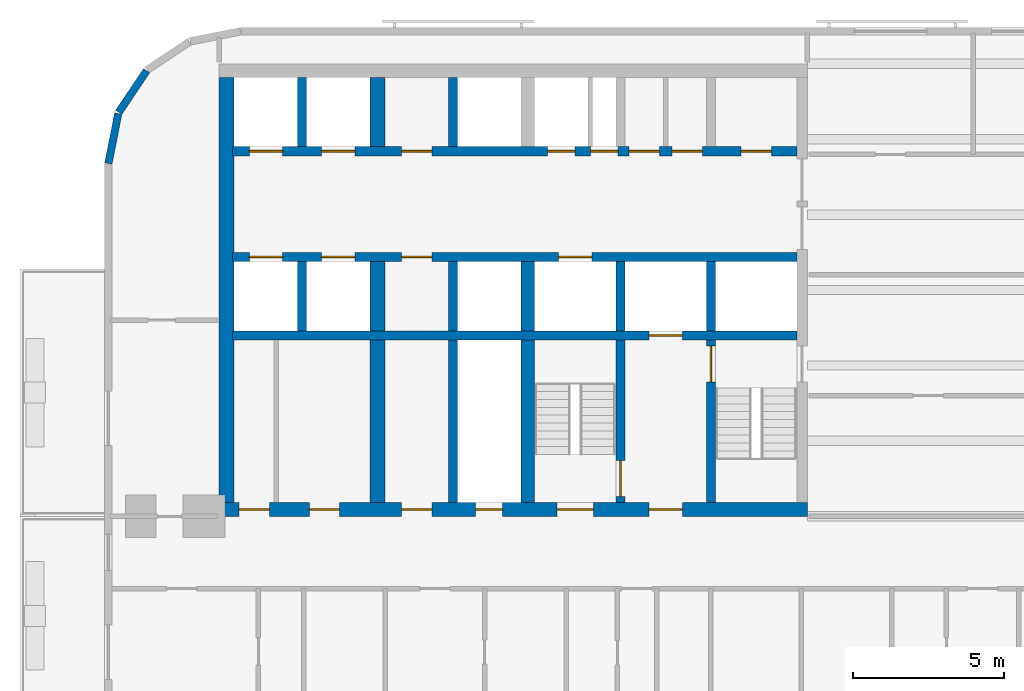
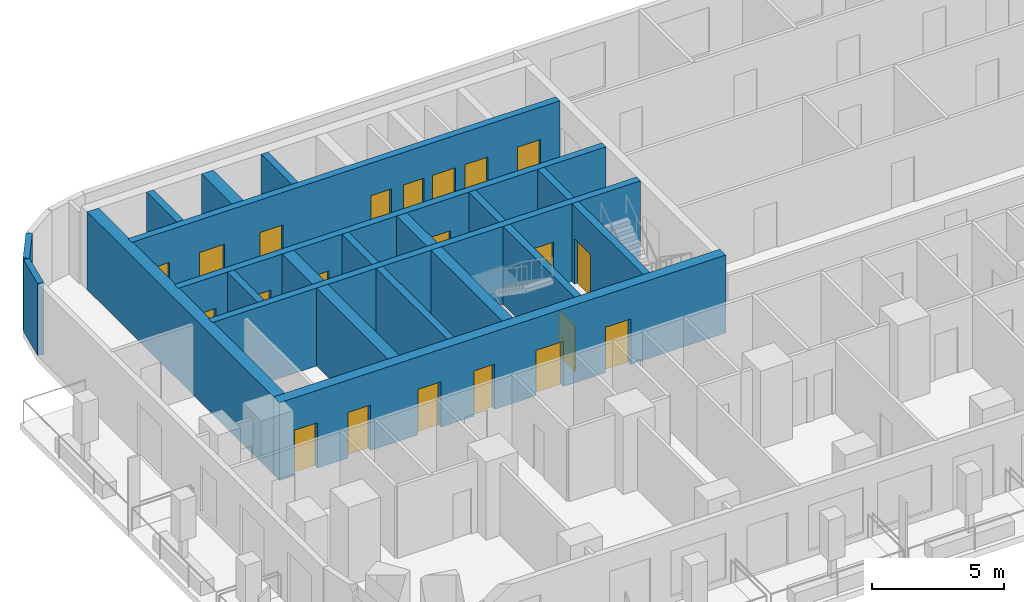
# One storey, part 3 of 13: 21 doors, 21 walls, 21 openings.
"""IFC4 building model written with IfcOpenShell, lengths in metres."""

from ifc_helpers import new_model, si_unit, direction, frame, frame_2d, origin, place, context, subcontext, project, spatial, rectangle, extrude, material, layer, layer_set, type_object, element, fill, save


model = new_model("IFC4")

# Units and contexts
model_context = context("Model", 3, precision=1e-05, world=origin(), true_north=direction((0.0, 1.0)))
body_context = subcontext(model_context, "Body", "Model", "MODEL_VIEW")
ifc_project = project(units=[si_unit("LENGTHUNIT", "METRE"), si_unit("AREAUNIT", "SQUARE_METRE"), si_unit("VOLUMEUNIT", "CUBIC_METRE"), si_unit("PLANEANGLEUNIT", "RADIAN"), si_unit("MASSUNIT", "GRAM", prefix="KILO")], contexts=[model_context])

# Site, building, storey
site_placement = place(None, origin())
site = spatial("IfcSite", under=ifc_project, at=site_placement, CompositionType="ELEMENT")
building_placement = place(site_placement, origin())
building = spatial("IfcBuilding", under=site, at=building_placement, Name="Torana Hotel and Residences", CompositionType="ELEMENT")
storey_placement = place(building_placement, frame((0.0, 0.0, 78.0)))
storey = spatial("IfcBuildingStorey", under=building, at=storey_placement, Name="L19", CompositionType="ELEMENT", Elevation=78.0)

# Wall, openings, doors
ifc_material_1 = material(Name="Concrete C80/95", Category="concrete")
ifc_layer_1 = layer(ifc_material_1, 0.300048828125)
ifc_layer_set_1 = layer_set([ifc_layer_1], Name="CORE WALL 300 C80/95")
wall_type_1 = type_object("IfcWallType", Name="CORE WALL 300 C80/95", PredefinedType="SHEAR", material=ifc_layer_set_1)
wall_1_placement = place(storey_placement, frame((-29.050048828125, -2.89990234375, 0.0), z_axis=(0.0, 0.0, 1.0), x_axis=(1.0, 0.0, 0.0)))
wall_1 = element("IfcWall", 1, at=wall_1_placement, inside=storey, type_object=wall_type_1, Name="Core wall W row-N", PredefinedType="SHEAR", context=body_context, shape_type="SweptSolid", body=[
    extrude(rectangle(XDim=18.699951171875, YDim=0.300048828125, at=frame_2d((9.35009765625, 0.0))), origin(), (0.0, 0.0, 1.0), 3.60009765625),
])
opening_1_placement = place(wall_1_placement, frame((2.949951171875, 0.0, 0.0)))
opening_1 = element("IfcOpeningElement", 2, at=opening_1_placement, cuts=wall_1, Name="Opening LD", PredefinedType="OPENING", context=body_context, shape_type="SweptSolid", body=[
    extrude(rectangle(XDim=1.10009765625, YDim=2.10009765625, at=frame_2d((0.550048828125, 1.050048828125))), frame((0.0, 0.159912109375, 0.0), z_axis=(0.0, -1.0, 0.0), x_axis=(1.0, 0.0, 0.0)), (0.0, 0.0, 1.0), 0.320068359375),
])
opening_2_placement = place(wall_1_placement, frame((0.550048828125, 0.0, 0.0)))
opening_2 = element("IfcOpeningElement", 3, at=opening_2_placement, cuts=wall_1, Name="Opening LD", PredefinedType="OPENING", context=body_context, shape_type="SweptSolid", body=[
    extrude(rectangle(XDim=1.10009765625, YDim=2.10009765625, at=frame_2d((0.550048828125, 1.050048828125))), frame((0.0, 0.159912109375, 0.0), z_axis=(0.0, -1.0, 0.0), x_axis=(1.0, 0.0, 0.0)), (0.0, 0.0, 1.0), 0.320068359375),
])
opening_3_placement = place(wall_1_placement, frame((11.862548828125, 0.0, 0.0)))
opening_3 = element("IfcOpeningElement", 4, at=opening_3_placement, cuts=wall_1, Name="Opening L19-10", PredefinedType="OPENING", context=body_context, shape_type="SweptSolid", body=[
    extrude(rectangle(XDim=0.89990234375, YDim=2.10009765625, at=frame_2d((0.449951171875, 1.050048828125))), frame((0.0, 0.159912109375, 0.0), z_axis=(0.0, -1.0, 0.0), x_axis=(1.0, 0.0, 0.0)), (0.0, 0.0, 1.0), 0.320068359375),
])
opening_4_placement = place(wall_1_placement, frame((10.4375, 0.0, 0.0)))
opening_4 = element("IfcOpeningElement", 5, at=opening_4_placement, cuts=wall_1, Name="Opening L19-11", PredefinedType="OPENING", context=body_context, shape_type="SweptSolid", body=[
    extrude(rectangle(XDim=0.89990234375, YDim=2.10009765625, at=frame_2d((0.449951171875, 1.050048828125))), frame((0.0, 0.159912109375, 0.0), z_axis=(0.0, -1.0, 0.0), x_axis=(1.0, 0.0, 0.0)), (0.0, 0.0, 1.0), 0.320068359375),
])
opening_5_placement = place(wall_1_placement, frame((16.85009765625, 0.0, 0.0)))
opening_5 = element("IfcOpeningElement", 6, at=opening_5_placement, cuts=wall_1, Name="Opening L19-12", PredefinedType="OPENING", context=body_context, shape_type="SweptSolid", body=[
    extrude(rectangle(XDim=1.0, YDim=2.10009765625, at=frame_2d((0.5, 1.050048828125))), frame((0.0, 0.159912109375, 0.0), z_axis=(0.0, -1.0, 0.0), x_axis=(1.0, 0.0, 0.0)), (0.0, 0.0, 1.0), 0.320068359375),
])
opening_6_placement = place(wall_1_placement, frame((14.5625, 0.0, 0.0)))
opening_6 = element("IfcOpeningElement", 7, at=opening_6_placement, cuts=wall_1, Name="Opening L19-13", PredefinedType="OPENING", context=body_context, shape_type="SweptSolid", body=[
    extrude(rectangle(XDim=1.0, YDim=2.10009765625, at=frame_2d((0.5, 1.050048828125))), frame((0.0, 0.159912109375, 0.0), z_axis=(0.0, -1.0, 0.0), x_axis=(1.0, 0.0, 0.0)), (0.0, 0.0, 1.0), 0.320068359375),
])
opening_7_placement = place(wall_1_placement, frame((13.137451171875, 0.0, 0.0)))
opening_7 = element("IfcOpeningElement", 8, at=opening_7_placement, cuts=wall_1, Name="Opening L19-14", PredefinedType="OPENING", context=body_context, shape_type="SweptSolid", body=[
    extrude(rectangle(XDim=1.0, YDim=2.10009765625, at=frame_2d((0.5, 1.050048828125))), frame((0.0, 0.159912109375, 0.0), z_axis=(0.0, -1.0, 0.0), x_axis=(1.0, 0.0, 0.0)), (0.0, 0.0, 1.0), 0.320068359375),
])
opening_8_placement = place(wall_1_placement, frame((5.60009765625, 0.0, 0.0)))
opening_8 = element("IfcOpeningElement", 9, at=opening_8_placement, cuts=wall_1, Name="Opening L19-15", PredefinedType="OPENING", context=body_context, shape_type="SweptSolid", body=[
    extrude(rectangle(XDim=1.0, YDim=2.10009765625, at=frame_2d((0.5, 1.050048828125))), frame((0.0, 0.159912109375, 0.0), z_axis=(0.0, -1.0, 0.0), x_axis=(1.0, 0.0, 0.0)), (0.0, 0.0, 1.0), 0.320068359375),
])
ifc_material_2 = material(Name="Steel S235", Category="steel")
door_type_1 = type_object("IfcDoorType", Name="CORE ROOM FIRE DOOR D14 1000x2100", OperationType="SINGLE_SWING_LEFT", PredefinedType="DOOR", material=ifc_material_2)
door_1_placement = place(opening_5_placement, origin())
door_1 = element("IfcDoor", 10, at=door_1_placement, inside=storey, type_object=door_type_1, Name="N0 door L19", OperationType="SINGLE_SWING_RIGHT", OverallHeight=2.10009765625, OverallWidth=1.0, PredefinedType="DOOR", context=body_context, shape_type="SweptSolid", body=[
    extrude(rectangle(XDim=1.0, YDim=2.10009765625, at=frame_2d((0.5, 1.050048828125))), frame((0.0, 0.02490234375, 0.0), z_axis=(0.0, -1.0, 0.0), x_axis=(1.0, 0.0, 0.0)), (0.0, 0.0, 1.0), 0.050048828125),
])
fill(opening_5, door_1)
door_2_placement = place(opening_6_placement, origin())
door_2 = element("IfcDoor", 11, at=door_2_placement, inside=storey, type_object=door_type_1, Name="N1A door L19", OperationType="SINGLE_SWING_RIGHT", OverallHeight=2.10009765625, OverallWidth=1.0, PredefinedType="DOOR", context=body_context, shape_type="SweptSolid", body=[
    extrude(rectangle(XDim=1.0, YDim=2.10009765625, at=frame_2d((0.5, 1.050048828125))), frame((0.0, 0.02490234375, 0.0), z_axis=(0.0, -1.0, 0.0), x_axis=(1.0, 0.0, 0.0)), (0.0, 0.0, 1.0), 0.050048828125),
])
fill(opening_6, door_2)
door_3_placement = place(opening_7_placement, origin())
door_3 = element("IfcDoor", 12, at=door_3_placement, inside=storey, type_object=door_type_1, Name="N1B door L19", OperationType="SINGLE_SWING_RIGHT", OverallHeight=2.10009765625, OverallWidth=1.0, PredefinedType="DOOR", context=body_context, shape_type="SweptSolid", body=[
    extrude(rectangle(XDim=1.0, YDim=2.10009765625, at=frame_2d((0.5, 1.050048828125))), frame((0.0, 0.02490234375, 0.0), z_axis=(0.0, -1.0, 0.0), x_axis=(1.0, 0.0, 0.0)), (0.0, 0.0, 1.0), 0.050048828125),
])
fill(opening_7, door_3)
door_4_placement = place(opening_8_placement, origin())
door_4 = element("IfcDoor", 13, at=door_4_placement, inside=storey, type_object=door_type_1, Name="Free-M1 door L19", OperationType="SINGLE_SWING_RIGHT", OverallHeight=2.10009765625, OverallWidth=1.0, PredefinedType="DOOR", context=body_context, shape_type="SweptSolid", body=[
    extrude(rectangle(XDim=1.0, YDim=2.10009765625, at=frame_2d((0.5, 1.050048828125))), frame((0.0, 0.02490234375, 0.0), z_axis=(0.0, -1.0, 0.0), x_axis=(1.0, 0.0, 0.0)), (0.0, 0.0, 1.0), 0.050048828125),
])
fill(opening_8, door_4)
ifc_material_3 = material(Name="Stainless steel 316", Category="steel")
door_type_2 = type_object("IfcDoorType", Name="LIFT LANDING DOOR LD 1100x2100", OperationType="DOUBLE_DOOR_SLIDING", PredefinedType="USERDEFINED", material=ifc_material_3)
door_5_placement = place(opening_1_placement, origin())
door_5 = element("IfcDoor", 14, at=door_5_placement, inside=storey, type_object=door_type_2, Name="Lift landing door L1 L19", ObjectType="LIFT LANDING DOOR", OperationType="DOUBLE_DOOR_SLIDING", OverallHeight=2.10009765625, OverallWidth=1.10009765625, PredefinedType="USERDEFINED", context=body_context, shape_type="SweptSolid", body=[
    extrude(rectangle(XDim=1.10009765625, YDim=2.10009765625, at=frame_2d((0.550048828125, 1.050048828125))), frame((0.0, 0.02490234375, 0.0), z_axis=(0.0, -1.0, 0.0), x_axis=(1.0, 0.0, 0.0)), (0.0, 0.0, 1.0), 0.050048828125),
])
fill(opening_1, door_5)
door_6_placement = place(opening_2_placement, origin())
door_6 = element("IfcDoor", 15, at=door_6_placement, inside=storey, type_object=door_type_2, Name="Lift landing door L2 L19", ObjectType="LIFT LANDING DOOR", OperationType="DOUBLE_DOOR_SLIDING", OverallHeight=2.10009765625, OverallWidth=1.10009765625, PredefinedType="USERDEFINED", context=body_context, shape_type="SweptSolid", body=[
    extrude(rectangle(XDim=1.10009765625, YDim=2.10009765625, at=frame_2d((0.550048828125, 1.050048828125))), frame((0.0, 0.02490234375, 0.0), z_axis=(0.0, -1.0, 0.0), x_axis=(1.0, 0.0, 0.0)), (0.0, 0.0, 1.0), 0.050048828125),
])
fill(opening_2, door_6)
ifc_material_4 = material(Name="Steel S235", Category="steel")
door_type_3 = type_object("IfcDoorType", Name="RISER ACCESS DOOR D5 900x2100", OperationType="SINGLE_SWING_LEFT", PredefinedType="DOOR", material=ifc_material_4)
door_7_placement = place(opening_3_placement, origin())
door_7 = element("IfcDoor", 16, at=door_7_placement, inside=storey, type_object=door_type_3, Name="N2A door L19", OperationType="SINGLE_SWING_LEFT", OverallHeight=2.10009765625, OverallWidth=0.89990234375, PredefinedType="DOOR", context=body_context, shape_type="SweptSolid", body=[
    extrude(rectangle(XDim=0.89990234375, YDim=2.10009765625, at=frame_2d((0.449951171875, 1.050048828125))), frame((0.0, 0.02490234375, 0.0), z_axis=(0.0, -1.0, 0.0), x_axis=(1.0, 0.0, 0.0)), (0.0, 0.0, 1.0), 0.050048828125),
])
fill(opening_3, door_7)
door_8_placement = place(opening_4_placement, origin())
door_8 = element("IfcDoor", 17, at=door_8_placement, inside=storey, type_object=door_type_3, Name="N2B door L19", OperationType="SINGLE_SWING_RIGHT", OverallHeight=2.10009765625, OverallWidth=0.89990234375, PredefinedType="DOOR", context=body_context, shape_type="SweptSolid", body=[
    extrude(rectangle(XDim=0.89990234375, YDim=2.10009765625, at=frame_2d((0.449951171875, 1.050048828125))), frame((0.0, 0.02490234375, 0.0), z_axis=(0.0, -1.0, 0.0), x_axis=(1.0, 0.0, 0.0)), (0.0, 0.0, 1.0), 0.050048828125),
])
fill(opening_4, door_8)

wall_2_placement = place(storey_placement, frame((-29.050048828125, -6.39990234375, 0.0), z_axis=(0.0, 0.0, 1.0), x_axis=(1.0, 0.0, 0.0)))
wall_2 = element("IfcWall", 18, at=wall_2_placement, inside=storey, type_object=wall_type_1, Name="Core wall W row-S", PredefinedType="SHEAR", context=body_context, shape_type="SweptSolid", body=[
    extrude(rectangle(XDim=18.699951171875, YDim=0.300048828125, at=frame_2d((9.35009765625, 0.0))), origin(), (0.0, 0.0, 1.0), 3.60009765625),
])
opening_9_placement = place(wall_2_placement, frame((2.949951171875, 0.0, 0.0)))
opening_9 = element("IfcOpeningElement", 19, at=opening_9_placement, cuts=wall_2, Name="Opening LD", PredefinedType="OPENING", context=body_context, shape_type="SweptSolid", body=[
    extrude(rectangle(XDim=1.10009765625, YDim=2.10009765625, at=frame_2d((0.550048828125, 1.050048828125))), frame((0.0, 0.159912109375, 0.0), z_axis=(0.0, -1.0, 0.0), x_axis=(1.0, 0.0, 0.0)), (0.0, 0.0, 1.0), 0.320068359375),
])
opening_10_placement = place(wall_2_placement, frame((0.550048828125, 0.0, 0.0)))
opening_10 = element("IfcOpeningElement", 20, at=opening_10_placement, cuts=wall_2, Name="Opening LD", PredefinedType="OPENING", context=body_context, shape_type="SweptSolid", body=[
    extrude(rectangle(XDim=1.10009765625, YDim=2.10009765625, at=frame_2d((0.550048828125, 1.050048828125))), frame((0.0, 0.159912109375, 0.0), z_axis=(0.0, -1.0, 0.0), x_axis=(1.0, 0.0, 0.0)), (0.0, 0.0, 1.0), 0.320068359375),
])
opening_11_placement = place(wall_2_placement, frame((10.800048828125, 0.0, 0.0)))
opening_11 = element("IfcOpeningElement", 21, at=opening_11_placement, cuts=wall_2, Name="Opening LD", PredefinedType="OPENING", context=body_context, shape_type="SweptSolid", body=[
    extrude(rectangle(XDim=1.10009765625, YDim=2.10009765625, at=frame_2d((0.550048828125, 1.050048828125))), frame((0.0, 0.159912109375, 0.0), z_axis=(0.0, -1.0, 0.0), x_axis=(1.0, 0.0, 0.0)), (0.0, 0.0, 1.0), 0.320068359375),
])
opening_12_placement = place(wall_2_placement, frame((5.60009765625, 0.0, 0.0)))
opening_12 = element("IfcOpeningElement", 22, at=opening_12_placement, cuts=wall_2, Name="Opening L19-16", PredefinedType="OPENING", context=body_context, shape_type="SweptSolid", body=[
    extrude(rectangle(XDim=1.0, YDim=2.10009765625, at=frame_2d((0.5, 1.050048828125))), frame((0.0, 0.159912109375, 0.0), z_axis=(0.0, -1.0, 0.0), x_axis=(1.0, 0.0, 0.0)), (0.0, 0.0, 1.0), 0.320068359375),
])
door_9_placement = place(opening_12_placement, frame((0.5, 0.0, 0.0), z_axis=(0.0, 0.0, 1.0), x_axis=(-1.0, 0.0, 0.0)))
door_9 = element("IfcDoor", 23, at=door_9_placement, inside=storey, type_object=door_type_1, Name="Free-M2 door L19", OperationType="SINGLE_SWING_LEFT", OverallHeight=2.10009765625, OverallWidth=1.0, PredefinedType="DOOR", context=body_context, shape_type="SweptSolid", body=[
    extrude(rectangle(XDim=1.0, YDim=2.10009765625, at=frame_2d((0.0, 1.050048828125))), frame((0.0, -0.02490234375, 0.0), z_axis=(0.0, 1.0, 0.0), x_axis=(-1.0, 0.0, 0.0)), (0.0, 0.0, 1.0), 0.050048828125),
])
fill(opening_12, door_9)
door_10_placement = place(opening_9_placement, origin())
door_10 = element("IfcDoor", 24, at=door_10_placement, inside=storey, type_object=door_type_2, Name="Lift landing door L3 L19", ObjectType="LIFT LANDING DOOR", OperationType="DOUBLE_DOOR_SLIDING", OverallHeight=2.10009765625, OverallWidth=1.10009765625, PredefinedType="USERDEFINED", context=body_context, shape_type="SweptSolid", body=[
    extrude(rectangle(XDim=1.10009765625, YDim=2.10009765625, at=frame_2d((0.550048828125, 1.050048828125))), frame((0.0, 0.02490234375, 0.0), z_axis=(0.0, -1.0, 0.0), x_axis=(1.0, 0.0, 0.0)), (0.0, 0.0, 1.0), 0.050048828125),
])
fill(opening_9, door_10)
door_11_placement = place(opening_10_placement, origin())
door_11 = element("IfcDoor", 25, at=door_11_placement, inside=storey, type_object=door_type_2, Name="Lift landing door L4 L19", ObjectType="LIFT LANDING DOOR", OperationType="DOUBLE_DOOR_SLIDING", OverallHeight=2.10009765625, OverallWidth=1.10009765625, PredefinedType="USERDEFINED", context=body_context, shape_type="SweptSolid", body=[
    extrude(rectangle(XDim=1.10009765625, YDim=2.10009765625, at=frame_2d((0.550048828125, 1.050048828125))), frame((0.0, 0.02490234375, 0.0), z_axis=(0.0, -1.0, 0.0), x_axis=(1.0, 0.0, 0.0)), (0.0, 0.0, 1.0), 0.050048828125),
])
fill(opening_10, door_11)
door_12_placement = place(opening_11_placement, origin())
door_12 = element("IfcDoor", 26, at=door_12_placement, inside=storey, type_object=door_type_2, Name="Lift landing door SV1 L19", ObjectType="LIFT LANDING DOOR", OperationType="DOUBLE_DOOR_SLIDING", OverallHeight=2.10009765625, OverallWidth=1.10009765625, PredefinedType="USERDEFINED", context=body_context, shape_type="SweptSolid", body=[
    extrude(rectangle(XDim=1.10009765625, YDim=2.10009765625, at=frame_2d((0.550048828125, 1.050048828125))), frame((0.0, 0.02490234375, 0.0), z_axis=(0.0, -1.0, 0.0), x_axis=(1.0, 0.0, 0.0)), (0.0, 0.0, 1.0), 0.050048828125),
])
fill(opening_11, door_12)

# Wall, opening, door
wall_3_placement = place(storey_placement, frame((-29.050048828125, -9.0, 0.0), z_axis=(0.0, 0.0, 1.0), x_axis=(1.0, 0.0, 0.0)))
wall_3 = element("IfcWall", 27, at=wall_3_placement, inside=storey, type_object=wall_type_1, Name="Core wall W band", PredefinedType="SHEAR", context=body_context, shape_type="SweptSolid", body=[
    extrude(rectangle(XDim=18.699951171875, YDim=0.300048828125, at=frame_2d((9.35009765625, 0.0))), origin(), (0.0, 0.0, 1.0), 3.60009765625),
])
opening_13_placement = place(wall_3_placement, frame((13.800048828125, 0.0, 0.0)))
opening_13 = element("IfcOpeningElement", 28, at=opening_13_placement, cuts=wall_3, Name="Opening LD", PredefinedType="OPENING", context=body_context, shape_type="SweptSolid", body=[
    extrude(rectangle(XDim=1.10009765625, YDim=2.10009765625, at=frame_2d((0.550048828125, 1.050048828125))), frame((0.0, 0.159912109375, 0.0), z_axis=(0.0, -1.0, 0.0), x_axis=(1.0, 0.0, 0.0)), (0.0, 0.0, 1.0), 0.320068359375),
])
door_13_placement = place(opening_13_placement, origin())
door_13 = element("IfcDoor", 29, at=door_13_placement, inside=storey, type_object=door_type_2, Name="Lift landing door FF1 L19", ObjectType="LIFT LANDING DOOR", OperationType="DOUBLE_DOOR_SLIDING", OverallHeight=2.10009765625, OverallWidth=1.10009765625, PredefinedType="USERDEFINED", context=body_context, shape_type="SweptSolid", body=[
    extrude(rectangle(XDim=1.10009765625, YDim=2.10009765625, at=frame_2d((0.550048828125, 1.050048828125))), frame((0.0, 0.02490234375, 0.0), z_axis=(0.0, -1.0, 0.0), x_axis=(1.0, 0.0, 0.0)), (0.0, 0.0, 1.0), 0.050048828125),
])
fill(opening_13, door_13)

# Wall
wall_4_placement = place(storey_placement, frame((-13.199951171875, -8.85009765625, 0.0), z_axis=(0.0, 0.0, 1.0), x_axis=(0.0, 1.0, 0.0)))
element("IfcWall", 30, at=wall_4_placement, inside=storey, type_object=wall_type_1, Name="Core wall W x3.05-S", PredefinedType="SHEAR", context=body_context, shape_type="SweptSolid", body=[
    extrude(rectangle(XDim=2.300048828125, YDim=0.300048828125, at=frame_2d((1.14990234375, 0.0))), origin(), (0.0, 0.0, 1.0), 3.60009765625),
])

# Wall, opening, door
wall_5_placement = place(storey_placement, frame((-13.199951171875, -14.550048828125, 0.0), z_axis=(0.0, 0.0, 1.0), x_axis=(0.0, 1.0, 0.0)))
wall_5 = element("IfcWall", 31, at=wall_5_placement, inside=storey, type_object=wall_type_1, Name="Core wall W x3.05-band", PredefinedType="SHEAR", context=body_context, shape_type="SweptSolid", body=[
    extrude(rectangle(XDim=5.400146484375, YDim=0.300048828125, at=frame_2d((2.7001953125, 0.0))), origin(), (0.0, 0.0, 1.0), 3.60009765625),
])
opening_14_placement = place(wall_5_placement, frame((4.0, 0.0, 0.0)))
opening_14 = element("IfcOpeningElement", 32, at=opening_14_placement, cuts=wall_5, Name="Opening L19-17", PredefinedType="OPENING", context=body_context, shape_type="SweptSolid", body=[
    extrude(rectangle(XDim=1.199951171875, YDim=2.10009765625, at=frame_2d((0.60009765625, 1.050048828125))), frame((0.0, 0.159912109375, 0.0), z_axis=(0.0, -1.0, 0.0), x_axis=(1.0, 0.0, 0.0)), (0.0, 0.0, 1.0), 0.320068359375),
])
ifc_material_5 = material(Name="Steel S235", Category="steel")
door_type_4 = type_object("IfcDoorType", Name="STAIR FIRE DOOR D3 1200x2100", OperationType="SINGLE_SWING_LEFT", PredefinedType="DOOR", material=ifc_material_5)
door_14_placement = place(opening_14_placement, frame((0.60009765625, 0.0, 0.0), z_axis=(0.0, 0.0, 1.0), x_axis=(-1.0, 0.0, 0.0)))
door_14 = element("IfcDoor", 33, at=door_14_placement, inside=storey, type_object=door_type_4, Name="Stair-A-lobby door L19", OperationType="SINGLE_SWING_RIGHT", OverallHeight=2.10009765625, OverallWidth=1.199951171875, PredefinedType="DOOR", context=body_context, shape_type="SweptSolid", body=[
    extrude(rectangle(XDim=1.199951171875, YDim=2.10009765625, at=frame_2d((0.0, 1.050048828125))), frame((0.0, -0.02490234375, 0.0), z_axis=(0.0, 1.0, 0.0), x_axis=(-1.0, 0.0, 0.0)), (0.0, 0.0, 1.0), 0.050048828125),
])
fill(opening_14, door_14)

# Wall
wall_6_placement = place(storey_placement, frame((-16.199951171875, -8.85009765625, 0.0), z_axis=(0.0, 0.0, 1.0), x_axis=(0.0, 1.0, 0.0)))
element("IfcWall", 34, at=wall_6_placement, inside=storey, type_object=wall_type_1, Name="Core wall W x6.05-S", PredefinedType="SHEAR", context=body_context, shape_type="SweptSolid", body=[
    extrude(rectangle(XDim=2.300048828125, YDim=0.300048828125, at=frame_2d((1.14990234375, 0.0))), origin(), (0.0, 0.0, 1.0), 3.60009765625),
])

# Wall, opening, door
wall_7_placement = place(storey_placement, frame((-16.199951171875, -14.550048828125, 0.0), z_axis=(0.0, 0.0, 1.0), x_axis=(0.0, 1.0, 0.0)))
wall_7 = element("IfcWall", 35, at=wall_7_placement, inside=storey, type_object=wall_type_1, Name="Core wall W x6.05-band", PredefinedType="SHEAR", context=body_context, shape_type="SweptSolid", body=[
    extrude(rectangle(XDim=5.400146484375, YDim=0.300048828125, at=frame_2d((2.7001953125, 0.0))), origin(), (0.0, 0.0, 1.0), 3.60009765625),
])
opening_15_placement = place(wall_7_placement, frame((0.199951171875, 0.0, 0.0)))
opening_15 = element("IfcOpeningElement", 36, at=opening_15_placement, cuts=wall_7, Name="Opening L19-18", PredefinedType="OPENING", context=body_context, shape_type="SweptSolid", body=[
    extrude(rectangle(XDim=1.199951171875, YDim=2.10009765625, at=frame_2d((0.60009765625, 1.050048828125))), frame((0.0, 0.159912109375, 0.0), z_axis=(0.0, -1.0, 0.0), x_axis=(1.0, 0.0, 0.0)), (0.0, 0.0, 1.0), 0.320068359375),
])
door_15_placement = place(opening_15_placement, origin())
door_15 = element("IfcDoor", 37, at=door_15_placement, inside=storey, type_object=door_type_4, Name="Stair-B-lobby door L19", OperationType="SINGLE_SWING_RIGHT", OverallHeight=2.10009765625, OverallWidth=1.199951171875, PredefinedType="DOOR", context=body_context, shape_type="SweptSolid", body=[
    extrude(rectangle(XDim=1.199951171875, YDim=2.10009765625, at=frame_2d((0.60009765625, 1.050048828125))), frame((0.0, 0.02490234375, 0.0), z_axis=(0.0, -1.0, 0.0), x_axis=(1.0, 0.0, 0.0)), (0.0, 0.0, 1.0), 0.050048828125),
])
fill(opening_15, door_15)

# Walls
for number, where, z_axis, x_axis, name in (
    (38, (-21.75, -2.75, 0.0), (0.0, 0.0, 1.0), (0.0, 1.0, 0.0), "Core wall W mm-N"),
    (39, (-21.75, -8.85009765625, 0.0), (0.0, 0.0, 1.0), (0.0, 1.0, 0.0), "Core wall W mm-S"),
):
    element("IfcWall", number, at=place(storey_placement, frame(where, z_axis=z_axis, x_axis=x_axis)), inside=storey, type_object=wall_type_1, Name=name, PredefinedType="SHEAR", context=body_context, shape_type="SweptSolid", body=[
        extrude(rectangle(XDim=2.300048828125, YDim=0.300048828125, at=frame_2d((1.14990234375, 0.0))), origin(), (0.0, 0.0, 1.0), 3.60009765625),
    ])
wall_8_placement = place(storey_placement, frame((-21.75, -14.550048828125, 0.0), z_axis=(0.0, 0.0, 1.0), x_axis=(0.0, 1.0, 0.0)))
element("IfcWall", 40, at=wall_8_placement, inside=storey, type_object=wall_type_1, Name="Core wall W mm-band", PredefinedType="SHEAR", context=body_context, shape_type="SweptSolid", body=[
    extrude(rectangle(XDim=5.400146484375, YDim=0.300048828125, at=frame_2d((2.7001953125, 0.0))), origin(), (0.0, 0.0, 1.0), 3.60009765625),
])
for number, where, z_axis, x_axis, name in (
    (41, (-26.75, -2.75, 0.0), (0.0, 0.0, 1.0), (0.0, 1.0, 0.0), "Core wall W ll-N"),
    (42, (-26.75, -8.85009765625, 0.0), (0.0, 0.0, 1.0), (0.0, 1.0, 0.0), "Core wall W ll-S"),
):
    element("IfcWall", number, at=place(storey_placement, frame(where, z_axis=z_axis, x_axis=x_axis)), inside=storey, type_object=wall_type_1, Name=name, PredefinedType="SHEAR", context=body_context, shape_type="SweptSolid", body=[
        extrude(rectangle(XDim=2.300048828125, YDim=0.300048828125, at=frame_2d((1.14990234375, 0.0))), origin(), (0.0, 0.0, 1.0), 3.60009765625),
    ])

# Wall, openings, doors
ifc_material_6 = material(Name="Concrete C80/95", Category="concrete")
ifc_layer_2 = layer(ifc_material_6, 0.449951171875)
ifc_layer_set_2 = layer_set([ifc_layer_2], Name="CORE WALL 450 C80/95")
wall_type_2 = type_object("IfcWallType", Name="CORE WALL 450 C80/95", PredefinedType="SHEAR", material=ifc_layer_set_2)
wall_9_placement = place(storey_placement, frame((-29.5, -14.77490234375, 0.0), z_axis=(0.0, 0.0, 1.0), x_axis=(1.0, 0.0, 0.0)))
wall_9 = element("IfcWall", 43, at=wall_9_placement, inside=storey, type_object=wall_type_2, Name="Core wall W front", PredefinedType="SHEAR", context=body_context, shape_type="SweptSolid", body=[
    extrude(rectangle(XDim=19.5, YDim=0.449951171875, at=frame_2d((9.75, 0.0))), origin(), (0.0, 0.0, 1.0), 3.60009765625),
])
opening_16_placement = place(wall_9_placement, frame((11.199951171875, 0.0, 0.0)))
opening_16 = element("IfcOpeningElement", 44, at=opening_16_placement, cuts=wall_9, Name="Opening L19-04", PredefinedType="OPENING", context=body_context, shape_type="SweptSolid", body=[
    extrude(rectangle(XDim=1.199951171875, YDim=2.10009765625, at=frame_2d((0.60009765625, 1.050048828125))), frame((0.0, 0.23486328125, 0.0), z_axis=(0.0, -1.0, 0.0), x_axis=(1.0, 0.0, 0.0)), (0.0, 0.0, 1.0), 0.469970703125),
])
opening_17_placement = place(wall_9_placement, frame((14.25, 0.0, 0.0)))
opening_17 = element("IfcOpeningElement", 45, at=opening_17_placement, cuts=wall_9, Name="Opening L19-05", PredefinedType="OPENING", context=body_context, shape_type="SweptSolid", body=[
    extrude(rectangle(XDim=1.10009765625, YDim=2.10009765625, at=frame_2d((0.550048828125, 1.050048828125))), frame((0.0, 0.23486328125, 0.0), z_axis=(0.0, -1.0, 0.0), x_axis=(1.0, 0.0, 0.0)), (0.0, 0.0, 1.0), 0.469970703125),
])
opening_18_placement = place(wall_9_placement, frame((8.5, 0.0, 0.0)))
opening_18 = element("IfcOpeningElement", 46, at=opening_18_placement, cuts=wall_9, Name="Opening L19-06", PredefinedType="OPENING", context=body_context, shape_type="SweptSolid", body=[
    extrude(rectangle(XDim=0.89990234375, YDim=2.10009765625, at=frame_2d((0.449951171875, 1.050048828125))), frame((0.0, 0.23486328125, 0.0), z_axis=(0.0, -1.0, 0.0), x_axis=(1.0, 0.0, 0.0)), (0.0, 0.0, 1.0), 0.469970703125),
])
opening_19_placement = place(wall_9_placement, frame((6.050048828125, 0.0, 0.0)))
opening_19 = element("IfcOpeningElement", 47, at=opening_19_placement, cuts=wall_9, Name="Opening L19-07", PredefinedType="OPENING", context=body_context, shape_type="SweptSolid", body=[
    extrude(rectangle(XDim=1.0, YDim=2.10009765625, at=frame_2d((0.5, 1.050048828125))), frame((0.0, 0.23486328125, 0.0), z_axis=(0.0, -1.0, 0.0), x_axis=(1.0, 0.0, 0.0)), (0.0, 0.0, 1.0), 0.469970703125),
])
opening_20_placement = place(wall_9_placement, frame((2.987548828125, 0.0, 0.0)))
opening_20 = element("IfcOpeningElement", 48, at=opening_20_placement, cuts=wall_9, Name="Opening L19-08", PredefinedType="OPENING", context=body_context, shape_type="SweptSolid", body=[
    extrude(rectangle(XDim=1.0, YDim=2.10009765625, at=frame_2d((0.5, 1.050048828125))), frame((0.0, 0.23486328125, 0.0), z_axis=(0.0, -1.0, 0.0), x_axis=(1.0, 0.0, 0.0)), (0.0, 0.0, 1.0), 0.469970703125),
])
opening_21_placement = place(wall_9_placement, frame((0.66259765625, 0.0, 0.0)))
opening_21 = element("IfcOpeningElement", 49, at=opening_21_placement, cuts=wall_9, Name="Opening L19-09", PredefinedType="OPENING", context=body_context, shape_type="SweptSolid", body=[
    extrude(rectangle(XDim=1.0, YDim=2.10009765625, at=frame_2d((0.5, 1.050048828125))), frame((0.0, 0.23486328125, 0.0), z_axis=(0.0, -1.0, 0.0), x_axis=(1.0, 0.0, 0.0)), (0.0, 0.0, 1.0), 0.469970703125),
])
door_16_placement = place(opening_19_placement, origin())
door_16 = element("IfcDoor", 50, at=door_16_placement, inside=storey, type_object=door_type_1, Name="M-Room door L19", OperationType="SINGLE_SWING_RIGHT", OverallHeight=2.10009765625, OverallWidth=1.0, PredefinedType="DOOR", context=body_context, shape_type="SweptSolid", body=[
    extrude(rectangle(XDim=1.0, YDim=2.10009765625, at=frame_2d((0.5, 1.050048828125))), frame((0.0, 0.02490234375, 0.0), z_axis=(0.0, -1.0, 0.0), x_axis=(1.0, 0.0, 0.0)), (0.0, 0.0, 1.0), 0.050048828125),
])
fill(opening_19, door_16)
door_17_placement = place(opening_20_placement, origin())
door_17 = element("IfcDoor", 51, at=door_17_placement, inside=storey, type_object=door_type_1, Name="L-A door L19", OperationType="SINGLE_SWING_RIGHT", OverallHeight=2.10009765625, OverallWidth=1.0, PredefinedType="DOOR", context=body_context, shape_type="SweptSolid", body=[
    extrude(rectangle(XDim=1.0, YDim=2.10009765625, at=frame_2d((0.5, 1.050048828125))), frame((0.0, 0.02490234375, 0.0), z_axis=(0.0, -1.0, 0.0), x_axis=(1.0, 0.0, 0.0)), (0.0, 0.0, 1.0), 0.050048828125),
])
fill(opening_20, door_17)
door_18_placement = place(opening_21_placement, origin())
door_18 = element("IfcDoor", 52, at=door_18_placement, inside=storey, type_object=door_type_1, Name="L-B door L19", OperationType="SINGLE_SWING_RIGHT", OverallHeight=2.10009765625, OverallWidth=1.0, PredefinedType="DOOR", context=body_context, shape_type="SweptSolid", body=[
    extrude(rectangle(XDim=1.0, YDim=2.10009765625, at=frame_2d((0.5, 1.050048828125))), frame((0.0, 0.02490234375, 0.0), z_axis=(0.0, -1.0, 0.0), x_axis=(1.0, 0.0, 0.0)), (0.0, 0.0, 1.0), 0.050048828125),
])
fill(opening_21, door_18)
ifc_material_7 = material(Name="Steel S235", Category="steel")
door_type_5 = type_object("IfcDoorType", Name="FIRE-FIGHTING LOBBY DOOR D8 1100x2100", OperationType="SINGLE_SWING_LEFT", PredefinedType="DOOR", material=ifc_material_7)
door_19_placement = place(opening_17_placement, origin())
door_19 = element("IfcDoor", 53, at=door_19_placement, inside=storey, type_object=door_type_5, Name="FF-lobby door L19", OperationType="SINGLE_SWING_RIGHT", OverallHeight=2.10009765625, OverallWidth=1.10009765625, PredefinedType="DOOR", context=body_context, shape_type="SweptSolid", body=[
    extrude(rectangle(XDim=1.10009765625, YDim=2.10009765625, at=frame_2d((0.550048828125, 1.050048828125))), frame((0.0, 0.02490234375, 0.0), z_axis=(0.0, -1.0, 0.0), x_axis=(1.0, 0.0, 0.0)), (0.0, 0.0, 1.0), 0.050048828125),
])
fill(opening_17, door_19)
door_20_placement = place(opening_18_placement, origin())
door_20 = element("IfcDoor", 54, at=door_20_placement, inside=storey, type_object=door_type_3, Name="M-Riser door L19", OperationType="SINGLE_SWING_RIGHT", OverallHeight=2.10009765625, OverallWidth=0.89990234375, PredefinedType="DOOR", context=body_context, shape_type="SweptSolid", body=[
    extrude(rectangle(XDim=0.89990234375, YDim=2.10009765625, at=frame_2d((0.449951171875, 1.050048828125))), frame((0.0, 0.02490234375, 0.0), z_axis=(0.0, -1.0, 0.0), x_axis=(1.0, 0.0, 0.0)), (0.0, 0.0, 1.0), 0.050048828125),
])
fill(opening_18, door_20)
door_21_placement = place(opening_16_placement, origin())
door_21 = element("IfcDoor", 55, at=door_21_placement, inside=storey, type_object=door_type_4, Name="Stair-B door L19", OperationType="SINGLE_SWING_RIGHT", OverallHeight=2.10009765625, OverallWidth=1.199951171875, PredefinedType="DOOR", context=body_context, shape_type="SweptSolid", body=[
    extrude(rectangle(XDim=1.199951171875, YDim=2.10009765625, at=frame_2d((0.60009765625, 1.050048828125))), frame((0.0, 0.02490234375, 0.0), z_axis=(0.0, -1.0, 0.0), x_axis=(1.0, 0.0, 0.0)), (0.0, 0.0, 1.0), 0.050048828125),
])
fill(opening_16, door_21)

# Walls
wall_10_placement = place(storey_placement, frame((-19.27490234375, -8.85009765625, 0.0), z_axis=(0.0, 0.0, 1.0), x_axis=(0.0, 1.0, 0.0)))
element("IfcWall", 56, at=wall_10_placement, inside=storey, type_object=wall_type_2, Name="Core wall W hm-S", PredefinedType="SHEAR", context=body_context, shape_type="SweptSolid", body=[
    extrude(rectangle(XDim=2.300048828125, YDim=0.449951171875, at=frame_2d((1.14990234375, 0.0))), origin(), (0.0, 0.0, 1.0), 3.60009765625),
])
wall_11_placement = place(storey_placement, frame((-19.27490234375, -14.550048828125, 0.0), z_axis=(0.0, 0.0, 1.0), x_axis=(0.0, 1.0, 0.0)))
element("IfcWall", 57, at=wall_11_placement, inside=storey, type_object=wall_type_2, Name="Core wall W hm-band", PredefinedType="SHEAR", context=body_context, shape_type="SweptSolid", body=[
    extrude(rectangle(XDim=5.400146484375, YDim=0.449951171875, at=frame_2d((2.7001953125, 0.0))), origin(), (0.0, 0.0, 1.0), 3.60009765625),
])
ifc_material_8 = material(Name="Concrete C80/95", Category="concrete")
ifc_layer_3 = layer(ifc_material_8, 0.5)
ifc_layer_set_3 = layer_set([ifc_layer_3], Name="CORE WALL 500 C80/95")
wall_type_3 = type_object("IfcWallType", Name="CORE WALL 500 C80/95", PredefinedType="SHEAR", material=ifc_layer_set_3)
wall_12_placement = place(storey_placement, frame((-29.25, -14.550048828125, 0.0), z_axis=(0.0, 0.0, 1.0), x_axis=(0.0, 1.0, 0.0)))
element("IfcWall", 58, at=wall_12_placement, inside=storey, type_object=wall_type_3, Name="Core wall W outer", PredefinedType="SHEAR", context=body_context, shape_type="SweptSolid", body=[
    extrude(rectangle(XDim=14.10009765625, YDim=0.5, at=frame_2d((7.050048828125, 0.0))), origin(), (0.0, 0.0, 1.0), 3.60009765625),
])
for number, where, z_axis, x_axis, name in (
    (59, (-24.25, -2.75, 0.0), (0.0, 0.0, 1.0), (0.0, 1.0, 0.0), "Core wall W ml-N"),
    (60, (-24.25, -8.85009765625, 0.0), (0.0, 0.0, 1.0), (0.0, 1.0, 0.0), "Core wall W ml-S"),
):
    element("IfcWall", number, at=place(storey_placement, frame(where, z_axis=z_axis, x_axis=x_axis)), inside=storey, type_object=wall_type_3, Name=name, PredefinedType="SHEAR", context=body_context, shape_type="SweptSolid", body=[
        extrude(rectangle(XDim=2.300048828125, YDim=0.5, at=frame_2d((1.14990234375, 0.0))), origin(), (0.0, 0.0, 1.0), 3.60009765625),
    ])
wall_13_placement = place(storey_placement, frame((-24.25, -14.550048828125, 0.0), z_axis=(0.0, 0.0, 1.0), x_axis=(0.0, 1.0, 0.0)))
element("IfcWall", 61, at=wall_13_placement, inside=storey, type_object=wall_type_3, Name="Core wall W ml-band", PredefinedType="SHEAR", context=body_context, shape_type="SweptSolid", body=[
    extrude(rectangle(XDim=5.400146484375, YDim=0.5, at=frame_2d((2.7001953125, 0.0))), origin(), (0.0, 0.0, 1.0), 3.60009765625),
])
ifc_material_9 = material(Name="Black aluminium composite panel", Category="aluminium")
ifc_layer_4 = layer(ifc_material_9, 0.00390625, Name="Cladding", Category="cladding")
ifc_material_10 = material(Name="Ventilated air cavity")
ifc_layer_5 = layer(ifc_material_10, 0.0400390625, Name="Ventilated cavity", Category="cavity")
ifc_material_11 = material(Name="Mineral wool insulation")
ifc_layer_6 = layer(ifc_material_11, 0.090087890625, Name="Insulation", Category="insulation")
ifc_material_12 = material(Name="Steel S280GD", Category="steel")
ifc_layer_7 = layer(ifc_material_12, 0.092041015625, Name="Steel stud frame", Category="structure")
ifc_material_13 = material(Name="Fire rated plasterboard")
ifc_layer_8 = layer(ifc_material_13, 0.011962890625, Name="Inner board", Category="finish")
ifc_layer_9 = layer(ifc_material_13, 0.011962890625, Name="Second board", Category="finish")
ifc_layer_set_4 = layer_set([ifc_layer_4, ifc_layer_5, ifc_layer_6, ifc_layer_7, ifc_layer_8, ifc_layer_9], Name="EW1 EXTERNAL WALL BLACK METAL CLAD 250")
wall_type_4 = type_object("IfcWallType", Name="EW1 EXTERNAL WALL BLACK METAL CLAD 250", PredefinedType="SOLIDWALL", material=ifc_layer_set_4)
wall_14_placement = place(storey_placement, frame((-31.90576171875, -0.228759765625, 0.0), z_axis=(0.0, 0.0, 1.0), x_axis=(-0.55555029066, -0.831482937015, 0.0)))
element("IfcWall", 62, at=wall_14_placement, inside=storey, type_object=wall_type_4, Name="External wall L19 e0.7", PredefinedType="SOLIDWALL", context=body_context, shape_type="SweptSolid", body=[
    extrude(rectangle(XDim=1.65625, YDim=0.25, at=frame_2d((0.828125, 0.0))), origin(), (0.0, 0.0, 1.0), 3.320068359375),
])
wall_15_placement = place(storey_placement, frame((-32.844482421875, -1.651123046875, 0.0), z_axis=(0.0, 0.0, 1.0), x_axis=(-0.19513878023, -0.980775640221, 0.0)))
element("IfcWall", 63, at=wall_15_placement, inside=storey, type_object=wall_type_4, Name="External wall L19 e0.8", PredefinedType="SOLIDWALL", context=body_context, shape_type="SweptSolid", body=[
    extrude(rectangle(XDim=1.681396484375, YDim=0.25, at=frame_2d((0.8408203125, 0.0))), origin(), (0.0, 0.0, 1.0), 3.320068359375),
])

save(model, "model.ifc")
